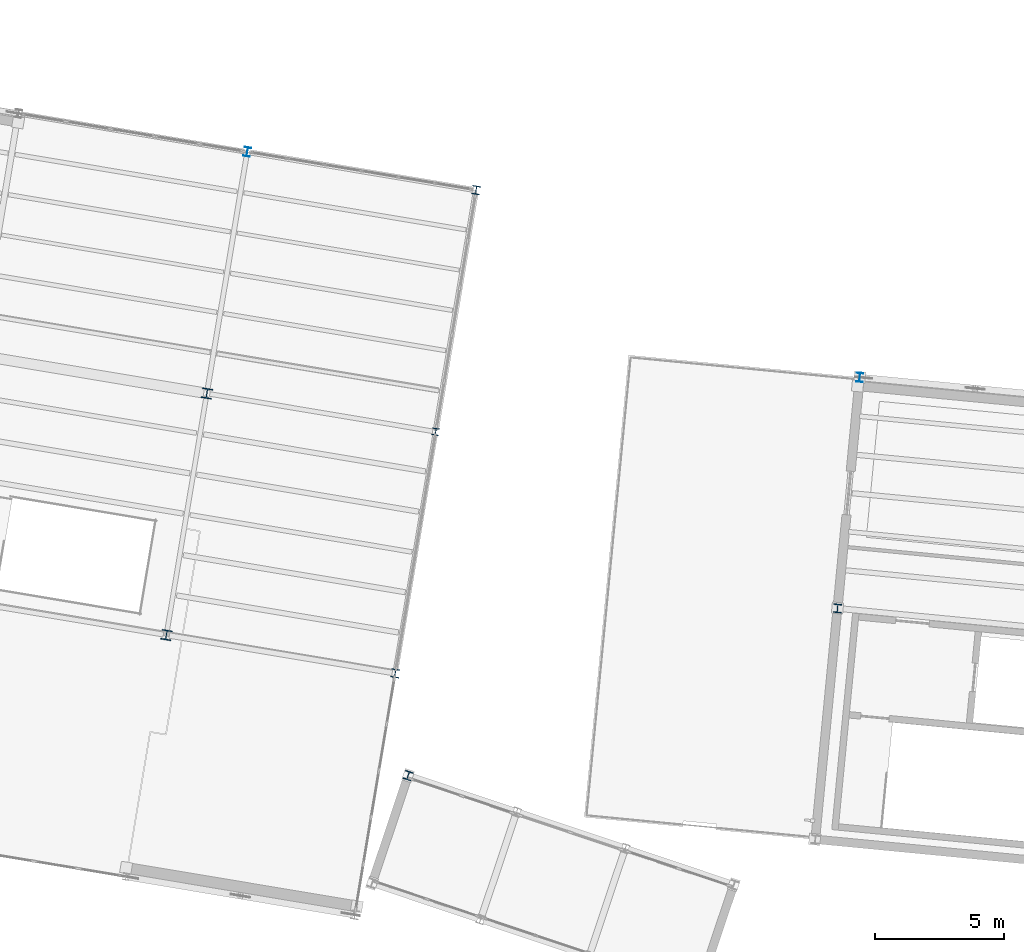
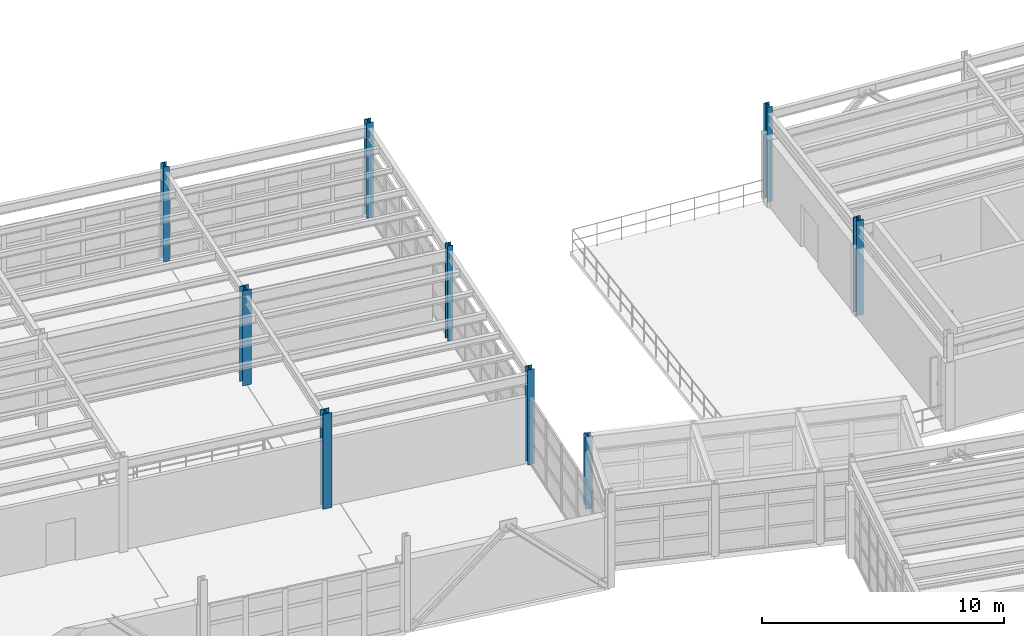
# One storey, part 11 of 102: 9 columns.
"""IFC4 building model written with IfcOpenShell, lengths in metres."""

from ifc_helpers import new_model, si_unit, direction, frame, origin, origin_2d, place, context, subcontext, project, spatial, i_section, extrude, material, material_profile, profile_set, type_object, element, save


model = new_model("IFC4")

# Units and contexts
model_context = context("Model", 3, precision=1e-05, world=origin(), true_north=direction((0.0, 1.0)))
body_context = subcontext(model_context, "Body", "Model", "MODEL_VIEW")
ifc_project = project(units=[si_unit("LENGTHUNIT", "METRE"), si_unit("AREAUNIT", "SQUARE_METRE"), si_unit("VOLUMEUNIT", "CUBIC_METRE"), si_unit("PLANEANGLEUNIT", "RADIAN"), si_unit("MASSUNIT", "GRAM", prefix="KILO")], contexts=[model_context])

# Site, building, storey
site_placement = place(None, origin())
site = spatial("IfcSite", under=ifc_project, at=site_placement, CompositionType="ELEMENT")
building_placement = place(site_placement, origin())
building = spatial("IfcBuilding", under=site, at=building_placement, Name="Vireo Bluff Cable Station", CompositionType="ELEMENT")
storey_placement = place(building_placement, frame((0.0, 0.0, 9.60009765625)))
storey = spatial("IfcBuildingStorey", under=building, at=storey_placement, Name="L02", CompositionType="ELEMENT", Elevation=9.60009765625)

# Columns
ifc_material = material(Name="Steel ASTM A992 Gr. 50", Category="steel")
ifc_material_profile_1 = material_profile(ifc_material, i_section(OverallWidth=0.39404296875, OverallDepth=0.3759765625, WebThickness=0.017333984375, FlangeThickness=0.027587890625, FilletRadius=0.014892578125, at=origin_2d()), Name="W14X145")
ifc_profile_set_1 = profile_set([ifc_material_profile_1], Name="Steel ASTM A992 Gr. 50")
column_type_1 = type_object("IfcColumnType", Name="COL-W14X145", PredefinedType="COLUMN", material=ifc_profile_set_1)
column_1_placement = place(storey_placement, frame((42.57421875, 74.927978515625, 0.0), z_axis=(0.0, 0.0, 1.0), x_axis=(0.986285601537, -0.165047605861, 0.0)))
element("IfcColumn", 1, at=column_1_placement, inside=storey, type_object=column_type_1, Name="V4 L02 column 311", PredefinedType="COLUMN", context=body_context, shape_type="SweptSolid", body=[
    extrude(i_section(OverallWidth=0.39404296875, OverallDepth=0.3759765625, WebThickness=0.017333984375, FlangeThickness=0.027587890625, FilletRadius=0.014892578125, at=origin_2d()), origin(), (0.0, 0.0, 1.0), 4.7998046875),
])
ifc_material_profile_2 = material_profile(ifc_material, i_section(OverallWidth=0.39599609375, OverallDepth=0.381103515625, WebThickness=0.018798828125, FlangeThickness=0.0302734375, FilletRadius=0.014892578125, at=origin_2d()), Name="W14X159")
ifc_profile_set_2 = profile_set([ifc_material_profile_2], Name="Steel ASTM A992 Gr. 50")
column_type_2 = type_object("IfcColumnType", Name="COL-W14X159", PredefinedType="COLUMN", material=ifc_profile_set_2)
column_2_placement = place(storey_placement, frame((44.14208984375, 84.297607421875, 0.0), z_axis=(0.0, 0.0, 1.0), x_axis=(0.986285601537, -0.165047605861, 0.0)))
element("IfcColumn", 2, at=column_2_placement, inside=storey, type_object=column_type_2, Name="V4 L02 column 314", PredefinedType="COLUMN", context=body_context, shape_type="SweptSolid", body=[
    extrude(i_section(OverallWidth=0.39599609375, OverallDepth=0.381103515625, WebThickness=0.018798828125, FlangeThickness=0.0302734375, FilletRadius=0.014892578125, at=origin_2d()), origin(), (0.0, 0.0, 1.0), 4.7998046875),
])
ifc_material_profile_3 = material_profile(ifc_material, i_section(OverallWidth=0.31298828125, OverallDepth=0.3330078125, WebThickness=0.01806640625, FlangeThickness=0.028076171875, FilletRadius=0.012939453125, at=origin_2d()), Name="W12X120")
ifc_profile_set_3 = profile_set([ifc_material_profile_3], Name="Steel ASTM A992 Gr. 50")
column_type_3 = type_object("IfcColumnType", Name="ECOL-W12X120", PredefinedType="COLUMN", material=ifc_profile_set_3)
column_3_placement = place(storey_placement, frame((68.6005859375, 75.96240234375, 0.0), z_axis=(0.0, 0.0, 1.0), x_axis=(0.995396198367, -0.09584575252, 0.0)))
element("IfcColumn", 3, at=column_3_placement, inside=storey, type_object=column_type_3, Name="V3 L02 column 206", PredefinedType="COLUMN", context=body_context, shape_type="SweptSolid", body=[
    extrude(i_section(OverallWidth=0.31298828125, OverallDepth=0.3330078125, WebThickness=0.01806640625, FlangeThickness=0.028076171875, FilletRadius=0.012939453125, at=origin_2d()), origin(), (0.0, 0.0, 1.0), 4.7998046875),
])
column_4_placement = place(storey_placement, frame((51.948974609375, 69.478515625, 0.0), z_axis=(0.0, 0.0, 1.0), x_axis=(0.948104710889, -0.317958263284, 0.0)))
element("IfcColumn", 4, at=column_4_placement, inside=storey, type_object=column_type_3, Name="CABIN-TRANSFER skybridge column 1R L02", PredefinedType="COLUMN", context=body_context, shape_type="SweptSolid", body=[
    extrude(i_section(OverallWidth=0.31298828125, OverallDepth=0.3330078125, WebThickness=0.01806640625, FlangeThickness=0.028076171875, FilletRadius=0.012939453125, at=origin_2d()), origin(), (0.0, 0.0, 1.0), 3.6298828125),
])
ifc_material_profile_4 = material_profile(ifc_material, i_section(OverallWidth=0.30908203125, OverallDepth=0.322998046875, WebThickness=0.013916015625, FlangeThickness=0.02294921875, FilletRadius=0.012939453125, at=origin_2d()), Name="W12X96")
ifc_profile_set_4 = profile_set([ifc_material_profile_4], Name="Steel ASTM A992 Gr. 50")
column_type_4 = type_object("IfcColumnType", Name="ECOL-W12X96", PredefinedType="COLUMN", material=ifc_profile_set_4)
for number, where, z_axis, x_axis, name in (
    (5, (51.45068359375, 73.442626953125, 0.0), (0.0, 0.0, 1.0), (0.986285601537, -0.165047605861, 0.0), "V4 L02 column 323"),
    (6, (54.586669921875, 92.181884765625, 0.0), (0.0, 0.0, 1.0), (0.986285601537, -0.165047605861, 0.0), "V4 L02 column 329"),
):
    element("IfcColumn", number, at=place(storey_placement, frame(where, z_axis=z_axis, x_axis=x_axis)), inside=storey, type_object=column_type_4, Name=name, PredefinedType="COLUMN", context=body_context, shape_type="SweptSolid", body=[
        extrude(i_section(OverallWidth=0.30908203125, OverallDepth=0.322998046875, WebThickness=0.013916015625, FlangeThickness=0.02294921875, FilletRadius=0.012939453125, at=origin_2d()), origin(), (0.0, 0.0, 1.0), 4.7998046875),
    ])
ifc_material_profile_5 = material_profile(ifc_material, i_section(OverallWidth=0.257080078125, OverallDepth=0.263916015625, WebThickness=0.011962890625, FlangeThickness=0.01953125, FilletRadius=0.009033203125, at=origin_2d()), Name="W10X68")
ifc_profile_set_5 = profile_set([ifc_material_profile_5], Name="Steel ASTM A992 Gr. 50")
column_type_5 = type_object("IfcColumnType", Name="PIL-W10X68", PredefinedType="PILASTER", material=ifc_profile_set_5)
column_5_placement = place(storey_placement, frame((53.018798828125, 82.812255859375, 0.0), z_axis=(0.0, 0.0, 1.0), x_axis=(0.986285601537, -0.165047605861, 0.0)))
element("IfcColumn", 7, at=column_5_placement, inside=storey, type_object=column_type_5, Name="V4 L02 column 326", PredefinedType="PILASTER", context=body_context, shape_type="SweptSolid", body=[
    extrude(i_section(OverallWidth=0.257080078125, OverallDepth=0.263916015625, WebThickness=0.011962890625, FlangeThickness=0.01953125, FilletRadius=0.009033203125, at=origin_2d()), origin(), (0.0, 0.0, 1.0), 4.7998046875),
])
ifc_material_profile_6 = material_profile(ifc_material, i_section(OverallWidth=0.25390625, OverallDepth=0.35302734375, WebThickness=0.009521484375, FlangeThickness=0.016357421875, FilletRadius=0.011962890625, at=origin_2d()), Name="W14X61")
ifc_profile_set_6 = profile_set([ifc_material_profile_6], Name="Steel ASTM A992 Gr. 50")
column_type_6 = type_object("IfcColumnType", Name="PIL-W14X61", PredefinedType="PILASTER", material=ifc_profile_set_6)
for number, where, z_axis, x_axis, name in (
    (8, (69.46337890625, 84.9208984375, 0.0), (0.0, 0.0, 1.0), (0.995396198367, -0.09584575252, 0.0), "V3 L02 column 209"),
    (9, (45.710205078125, 93.66748046875, 0.0), (0.0, 0.0, 1.0), (0.986285601537, -0.165047605861, 0.0), "V4 L02 column 317"),
):
    element("IfcColumn", number, at=place(storey_placement, frame(where, z_axis=z_axis, x_axis=x_axis)), inside=storey, type_object=column_type_6, Name=name, PredefinedType="PILASTER", context=body_context, shape_type="SweptSolid", body=[
        extrude(i_section(OverallWidth=0.25390625, OverallDepth=0.35302734375, WebThickness=0.009521484375, FlangeThickness=0.016357421875, FilletRadius=0.011962890625, at=origin_2d()), origin(), (0.0, 0.0, 1.0), 4.7998046875),
    ])

save(model, "model.ifc")
